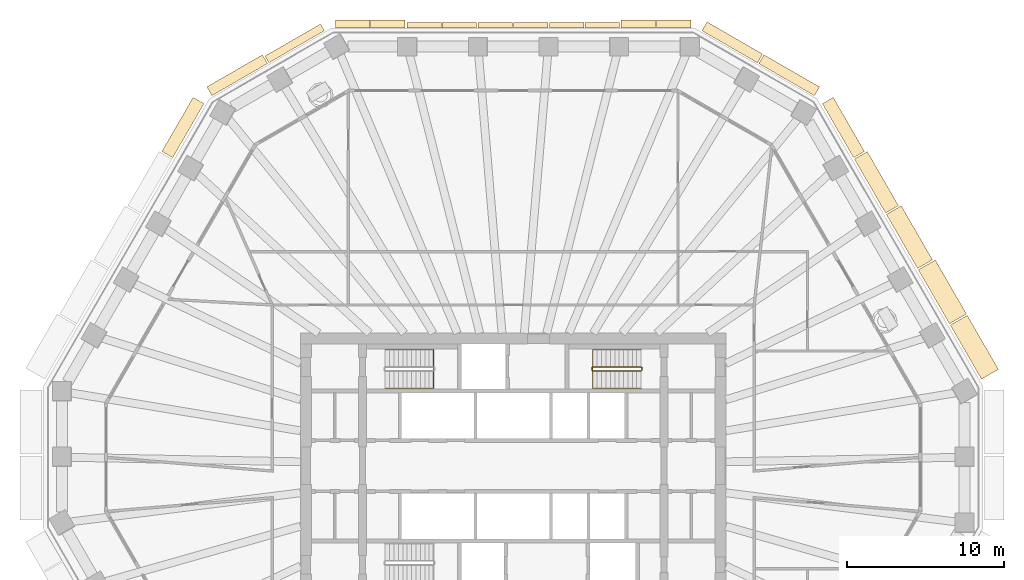
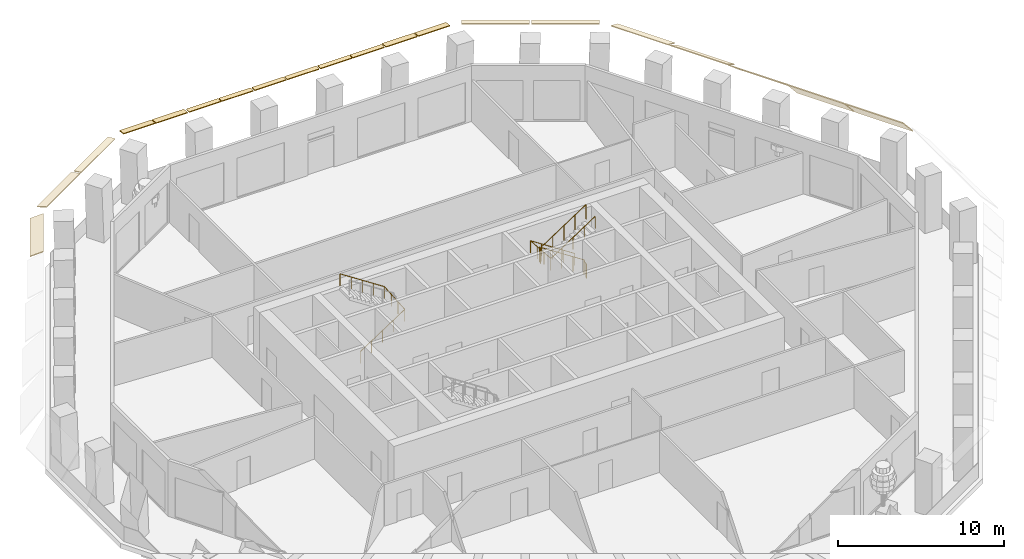
# One storey, part 10 of 12: 20 coverings, 3 railings.
"""IFC4 building model written with IfcOpenShell, lengths in metres."""

from ifc_helpers import new_model, si_unit, direction, frame, origin, origin_2d, place, context, subcontext, project, spatial, polyline, circle, outline, extrude, material, layer, layer_set, type_object, element, save


model = new_model("IFC4")

# Units and contexts
model_context = context("Model", 3, precision=1e-05, world=origin(), true_north=direction((0.0, 1.0)))
body_context = subcontext(model_context, "Body", "Model", "MODEL_VIEW")
ifc_project = project(units=[si_unit("LENGTHUNIT", "METRE"), si_unit("AREAUNIT", "SQUARE_METRE"), si_unit("VOLUMEUNIT", "CUBIC_METRE"), si_unit("PLANEANGLEUNIT", "RADIAN"), si_unit("MASSUNIT", "GRAM", prefix="KILO")], contexts=[model_context])

# Site, building, storey
site_placement = place(None, origin())
site = spatial("IfcSite", under=ifc_project, at=site_placement, CompositionType="ELEMENT")
building_placement = place(site_placement, origin())
building = spatial("IfcBuilding", under=site, at=building_placement, Name="Frailejon Research Tower", CompositionType="ELEMENT")
storey_placement = place(building_placement, frame((0.0, 0.0, 162.800048828125)))
storey = spatial("IfcBuildingStorey", under=building, at=storey_placement, Name="L35", CompositionType="ELEMENT", Elevation=162.800048828125)

# Coverings
ifc_material_1 = material(Name="Precast concrete C50/60", Category="concrete")
ifc_layer_1 = layer(ifc_material_1, 0.06005859375)
ifc_layer_set_1 = layer_set([ifc_layer_1], Name="Brim blade depth 1100")
covering_type_1 = type_object("IfcCoveringType", Name="Brim blade depth 1100", PredefinedType="CLADDING", material=ifc_layer_set_1)
covering_1_placement = place(storey_placement, frame((23.767822265625, 16.015625, 4.25), z_axis=(0.499992413042, -0.866029784072, 0.0), x_axis=(0.866029784072, 0.499992413042, 0.0)))
element("IfcCovering", 1, at=covering_1_placement, inside=storey, type_object=covering_type_1, Name="Brim blade L35", PredefinedType="CLADDING", context=body_context, shape_type="SweptSolid", body=[
    extrude(outline(polyline([(0.0, -0.078369140625), (1.10009765625, -1.001220703125), (1.10009765625, -0.923095703125), (0.0, 0.0), (0.0, -0.078369140625)])), origin(), (0.0, 0.0, 1.0), 3.972412109375),
])
ifc_material_2 = material(Name="Precast concrete C50/60", Category="concrete")
ifc_layer_2 = layer(ifc_material_2, 0.06005859375)
ifc_layer_set_2 = layer_set([ifc_layer_2], Name="Brim blade depth 1250")
covering_type_2 = type_object("IfcCoveringType", Name="Brim blade depth 1250", PredefinedType="CLADDING", material=ifc_layer_set_2)
for number, where, z_axis, x_axis, name in (
    (2, (27.840087890625, 8.96240234375, 4.25), (0.500010829996, -0.866019150993, 0.0), (0.866019150993, 0.500010829996, 0.0), "Brim blade L35"),
    (3, (25.803955078125, 12.489013671875, 4.25), (0.499992413042, -0.866029784072, 0.0), (0.866029784072, 0.499992413042, 0.0), "Brim blade L35"),
):
    element("IfcCovering", number, at=place(storey_placement, frame(where, z_axis=z_axis, x_axis=x_axis)), inside=storey, type_object=covering_type_2, Name=name, PredefinedType="CLADDING", context=body_context, shape_type="SweptSolid", body=[
        extrude(outline(polyline([(0.0, -0.0888671875), (1.25, -1.452880859375), (1.25, -1.364013671875), (0.0, 0.0), (0.0, -0.0888671875)])), origin(), (0.0, 0.0, 1.0), 3.972412109375),
    ])
ifc_material_3 = material(Name="Precast concrete C50/60", Category="concrete")
ifc_layer_3 = layer(ifc_material_3, 0.06005859375)
ifc_layer_set_3 = layer_set([ifc_layer_3], Name="Brim blade depth 350")
covering_type_3 = type_object("IfcCoveringType", Name="Brim blade depth 350", PredefinedType="CLADDING", material=ifc_layer_set_3)
for number, where, z_axis, x_axis, name in (
    (4, (4.581298828125, 27.89990234375, 4.25), (1.0, 0.0, 0.0), (0.0, 1.0, 0.0), "Brim blade L35"),
    (5, (2.32568359375, 27.89990234375, 4.25), (1.0, 0.0, 0.0), (0.0, 1.0, 0.0), "Brim blade L35"),
):
    element("IfcCovering", number, at=place(storey_placement, frame(where, z_axis=z_axis, x_axis=x_axis)), inside=storey, type_object=covering_type_3, Name=name, PredefinedType="CLADDING", context=body_context, shape_type="SweptSolid", body=[
        extrude(outline(polyline([(0.0, -0.06005859375), (0.35009765625, -0.06005859375), (0.35009765625, 0.0), (0.0, 0.0), (0.0, -0.06005859375)])), origin(), (0.0, 0.0, 1.0), 2.19580078125),
    ])
for number, where, z_axis, x_axis, name in (
    (6, (0.030029296875, 27.89990234375, 4.25), (1.0, 0.0, 0.0), (0.0, 1.0, 0.0), "Brim blade L35"),
    (7, (-2.2255859375, 27.89990234375, 4.25), (1.0, 0.0, 0.0), (0.0, 1.0, 0.0), "Brim blade L35"),
):
    element("IfcCovering", number, at=place(storey_placement, frame(where, z_axis=z_axis, x_axis=x_axis)), inside=storey, type_object=covering_type_3, Name=name, PredefinedType="CLADDING", context=body_context, shape_type="SweptSolid", body=[
        extrude(outline(polyline([(0.0, -0.06005859375), (0.35009765625, -0.06005859375), (0.35009765625, 0.0), (0.0, 0.0), (0.0, -0.06005859375)])), origin(), (0.0, 0.0, 1.0), 2.195556640625),
    ])
for number, where, z_axis, x_axis, name in (
    (8, (-4.521240234375, 27.89990234375, 4.25), (1.0, 0.0, 0.0), (0.0, 1.0, 0.0), "Brim blade L35"),
    (9, (-6.77685546875, 27.89990234375, 4.25), (1.0, 0.0, 0.0), (0.0, 1.0, 0.0), "Brim blade L35"),
):
    element("IfcCovering", number, at=place(storey_placement, frame(where, z_axis=z_axis, x_axis=x_axis)), inside=storey, type_object=covering_type_3, Name=name, PredefinedType="CLADDING", context=body_context, shape_type="SweptSolid", body=[
        extrude(outline(polyline([(0.0, -0.06005859375), (0.35009765625, -0.06005859375), (0.35009765625, 0.0), (0.0, 0.0), (0.0, -0.06005859375)])), origin(), (0.0, 0.0, 1.0), 2.19580078125),
    ])
ifc_material_4 = material(Name="Precast concrete C50/60", Category="concrete")
ifc_layer_4 = layer(ifc_material_4, 0.06005859375)
ifc_layer_set_4 = layer_set([ifc_layer_4], Name="Brim blade depth 500")
covering_type_4 = type_object("IfcCoveringType", Name="Brim blade depth 500", PredefinedType="CLADDING", material=ifc_layer_set_4)
for number, where, z_axis, x_axis, name in (
    (10, (9.132568359375, 27.89990234375, 4.25), (1.0, 0.0, 0.0), (0.0, 1.0, 0.0), "Brim blade L35"),
    (11, (6.876953125, 27.89990234375, 4.25), (1.0, 0.0, 0.0), (0.0, 1.0, 0.0), "Brim blade L35"),
    (12, (-9.072509765625, 27.89990234375, 4.25), (1.0, 0.0, 0.0), (0.0, 1.0, 0.0), "Brim blade L35"),
    (13, (-11.328125, 27.89990234375, 4.25), (1.0, 0.0, 0.0), (0.0, 1.0, 0.0), "Brim blade L35"),
):
    element("IfcCovering", number, at=place(storey_placement, frame(where, z_axis=z_axis, x_axis=x_axis)), inside=storey, type_object=covering_type_4, Name=name, PredefinedType="CLADDING", context=body_context, shape_type="SweptSolid", body=[
        extrude(outline(polyline([(0.0, -0.060546875), (0.5, -0.130859375), (0.5, -0.0703125), (0.0, 0.0), (0.0, -0.060546875)])), origin(), (0.0, 0.0, 1.0), 2.19580078125),
    ])
covering_2_placement = place(storey_placement, frame((-15.561279296875, 25.67041015625, 4.25), z_axis=(0.866021344981, 0.500007029989, 0.0), x_axis=(-0.500007029989, 0.866021344981, 0.0)))
element("IfcCovering", 14, at=covering_2_placement, inside=storey, type_object=covering_type_4, Name="Brim blade L35", PredefinedType="CLADDING", context=body_context, shape_type="SweptSolid", body=[
    extrude(outline(polyline([(0.0, -0.060546875), (0.5, -0.130859375), (0.5, -0.0703125), (0.0, 0.0), (0.0, -0.060546875)])), origin(), (0.0, 0.0, 1.0), 4.08740234375),
])
ifc_material_5 = material(Name="Precast concrete C50/60", Category="concrete")
ifc_layer_5 = layer(ifc_material_5, 0.06005859375)
ifc_layer_set_5 = layer_set([ifc_layer_5], Name="Brim blade depth 650")
covering_type_5 = type_object("IfcCoveringType", Name="Brim blade depth 650", PredefinedType="CLADDING", material=ifc_layer_set_5)
covering_3_placement = place(storey_placement, frame((15.64794921875, 25.620361328125, 4.25), z_axis=(0.866027315287, -0.499996689166, 0.0), x_axis=(0.499996689166, 0.866027315287, 0.0)))
element("IfcCovering", 15, at=covering_3_placement, inside=storey, type_object=covering_type_5, Name="Brim blade L35", PredefinedType="CLADDING", context=body_context, shape_type="SweptSolid", body=[
    extrude(outline(polyline([(0.0, -0.0625), (0.64990234375, -0.248779296875), (0.64990234375, -0.186279296875), (0.0, 0.0), (0.0, -0.0625)])), origin(), (0.0, 0.0, 1.0), 4.087646484375),
])
covering_4_placement = place(storey_placement, frame((12.021484375, 27.714111328125, 4.25), z_axis=(0.866021344981, -0.500007029989, 0.0), x_axis=(0.500007029989, 0.866021344981, 0.0)))
element("IfcCovering", 16, at=covering_4_placement, inside=storey, type_object=covering_type_5, Name="Brim blade L35", PredefinedType="CLADDING", context=body_context, shape_type="SweptSolid", body=[
    extrude(outline(polyline([(0.0, -0.0625), (0.64990234375, -0.248779296875), (0.64990234375, -0.186279296875), (0.0, 0.0), (0.0, -0.0625)])), origin(), (0.0, 0.0, 1.0), 4.08740234375),
])
covering_5_placement = place(storey_placement, frame((-19.18798828125, 23.57666015625, 4.25), z_axis=(0.866027315287, 0.499996689166, 0.0), x_axis=(-0.499996689166, 0.866027315287, 0.0)))
element("IfcCovering", 17, at=covering_5_placement, inside=storey, type_object=covering_type_5, Name="Brim blade L35", PredefinedType="CLADDING", context=body_context, shape_type="SweptSolid", body=[
    extrude(outline(polyline([(0.0, -0.0625), (0.64990234375, -0.248779296875), (0.64990234375, -0.186279296875), (0.0, 0.0), (0.0, -0.0625)])), origin(), (0.0, 0.0, 1.0), 4.087646484375),
])
ifc_material_6 = material(Name="Precast concrete C50/60", Category="concrete")
ifc_layer_6 = layer(ifc_material_6, 0.06005859375)
ifc_layer_set_6 = layer_set([ifc_layer_6], Name="Brim blade depth 800")
covering_type_6 = type_object("IfcCoveringType", Name="Brim blade depth 800", PredefinedType="CLADDING", material=ifc_layer_set_6)
for number, where, z_axis, x_axis, name in (
    (18, (19.695556640625, 23.069091796875, 4.25), (0.499992413042, -0.866029784072, 0.0), (0.866029784072, 0.499992413042, 0.0), "Brim blade L35"),
    (19, (-21.681640625, 19.62890625, 4.25), (0.499992413042, 0.866029784072, 0.0), (-0.866029784072, 0.499992413042, 0.0), "Brim blade L35"),
):
    element("IfcCovering", number, at=place(storey_placement, frame(where, z_axis=z_axis, x_axis=x_axis)), inside=storey, type_object=covering_type_6, Name=name, PredefinedType="CLADDING", context=body_context, shape_type="SweptSolid", body=[
        extrude(outline(polyline([(0.0, -0.065673828125), (0.800048828125, -0.421875), (0.800048828125, -0.356201171875), (0.0, 0.0), (0.0, -0.065673828125)])), origin(), (0.0, 0.0, 1.0), 3.972412109375),
    ])
ifc_material_7 = material(Name="Precast concrete C50/60", Category="concrete")
ifc_layer_7 = layer(ifc_material_7, 0.06005859375)
ifc_layer_set_7 = layer_set([ifc_layer_7], Name="Brim blade depth 950")
covering_type_7 = type_object("IfcCoveringType", Name="Brim blade depth 950", PredefinedType="CLADDING", material=ifc_layer_set_7)
covering_6_placement = place(storey_placement, frame((21.731689453125, 19.54248046875, 4.25), z_axis=(0.500010829996, -0.866019150993, 0.0), x_axis=(0.866019150993, 0.500010829996, 0.0)))
element("IfcCovering", 20, at=covering_6_placement, inside=storey, type_object=covering_type_7, Name="Brim blade L35", PredefinedType="CLADDING", context=body_context, shape_type="SweptSolid", body=[
    extrude(outline(polyline([(0.0, -0.07080078125), (0.949951171875, -0.664306640625), (0.949951171875, -0.593505859375), (0.0, 0.0), (0.0, -0.07080078125)])), origin(), (0.0, 0.0, 1.0), 3.972412109375),
])

# Railings
ifc_material_8 = material(Name="Stainless steel", Category="steel")
railing_type_1 = type_object("IfcRailingType", Name="Stair guard 1100", PredefinedType="GUARDRAIL", material=ifc_material_8)
railing_1_placement = place(storey_placement, frame((8.199951171875, 6.10009765625, 0.0)))
element("IfcRailing", 21, at=railing_1_placement, inside=storey, type_object=railing_type_1, Name="L35 ST3 stair guard 1", PredefinedType="GUARDRAIL", context=body_context, shape_type="SweptSolid", body=[
    extrude(circle(Radius=0.02392578125, at=origin_2d()), frame((0.0, 0.0, 1.076171875), z_axis=(0.0, 1.0, 0.0), x_axis=(-1.0, 0.0, 0.0)), (0.0, 0.0, 1.0), 0.14990234375),
    extrude(circle(Radius=0.02392578125, at=origin_2d()), frame((0.0, 0.14990234375, 1.076171875), z_axis=(-0.254653276557, 0.254653276557, 0.932900539971), x_axis=(-0.707106781187, -0.707106781187, 0.0)), (0.0, 0.0, 1.0), 0.196533203125),
    extrude(circle(Radius=0.02392578125, at=origin_2d()), frame((-0.050048828125, 0.199951171875, 1.25927734375), z_axis=(-0.836613101238, 0.0, 0.547794230379), x_axis=(0.0, -1.0, 0.0)), (0.0, 0.0, 1.0), 3.681396484375),
    extrude(circle(Radius=0.02392578125, at=origin_2d()), frame((-3.1298828125, 0.199951171875, 3.27587890625), z_axis=(-0.707106781187, -0.707106781187, 0.0), x_axis=(0.707106781187, -0.707106781187, 0.0)), (0.0, 0.0, 1.0), 0.07080078125),
    extrude(circle(Radius=0.02392578125, at=origin_2d()), frame((-3.179931640625, 0.14990234375, 3.27587890625), z_axis=(0.0, -1.0, 0.0), x_axis=(1.0, 0.0, 0.0)), (0.0, 0.0, 1.0), 0.14990234375),
    extrude(circle(Radius=0.02392578125, at=origin_2d()), frame((-3.179931640625, 0.0, 3.27587890625), z_axis=(0.254653276557, -0.254653276557, 0.932900539971), x_axis=(0.707106781187, 0.707106781187, 0.0)), (0.0, 0.0, 1.0), 0.196533203125),
    extrude(circle(Radius=0.02392578125, at=origin_2d()), frame((-3.1298828125, -0.050048828125, 3.45947265625), z_axis=(0.836613101238, 0.0, 0.547794230379), x_axis=(0.0, 1.0, 0.0)), (0.0, 0.0, 1.0), 3.681396484375),
    extrude(circle(Radius=0.02099609375, at=origin_2d()), origin(), (0.0, 0.0, 1.0), 1.052001953125),
    extrude(circle(Radius=0.02099609375, at=origin_2d()), frame((0.0, 0.14990234375, 0.0)), (0.0, 0.0, 1.0), 1.052001953125),
    extrude(circle(Radius=0.02099609375, at=origin_2d()), frame((-0.050048828125, 0.199951171875, 0.183349609375)), (0.0, 0.0, 1.0), 1.052001953125),
    extrude(circle(Radius=0.02099609375, at=origin_2d()), frame((-0.820068359375, 0.199951171875, 0.6875)), (0.0, 0.0, 1.0), 1.052001953125),
    extrude(circle(Radius=0.02099609375, at=origin_2d()), frame((-1.58984375, 0.199951171875, 1.191650390625)), (0.0, 0.0, 1.0), 1.052001953125),
    extrude(circle(Radius=0.02099609375, at=origin_2d()), frame((-2.35986328125, 0.199951171875, 1.69580078125)), (0.0, 0.0, 1.0), 1.052001953125),
    extrude(circle(Radius=0.02099609375, at=origin_2d()), frame((-3.1298828125, 0.199951171875, 2.199951171875)), (0.0, 0.0, 1.0), 1.052001953125),
    extrude(circle(Radius=0.02099609375, at=origin_2d()), frame((-3.179931640625, 0.14990234375, 2.199951171875)), (0.0, 0.0, 1.0), 1.052001953125),
    extrude(circle(Radius=0.02099609375, at=origin_2d()), frame((-3.179931640625, 0.0, 2.199951171875)), (0.0, 0.0, 1.0), 1.052001953125),
    extrude(circle(Radius=0.02099609375, at=origin_2d()), frame((-3.1298828125, -0.050048828125, 2.38330078125)), (0.0, 0.0, 1.0), 1.052001953125),
    extrude(circle(Radius=0.02099609375, at=origin_2d()), frame((-2.35986328125, -0.050048828125, 2.887451171875)), (0.0, 0.0, 1.0), 1.052001953125),
    extrude(circle(Radius=0.02099609375, at=origin_2d()), frame((-1.58984375, -0.050048828125, 3.3916015625)), (0.0, 0.0, 1.0), 1.052001953125),
    extrude(circle(Radius=0.02099609375, at=origin_2d()), frame((-0.820068359375, -0.050048828125, 3.895751953125)), (0.0, 0.0, 1.0), 1.052001953125),
    extrude(circle(Radius=0.02099609375, at=origin_2d()), frame((-0.050048828125, -0.050048828125, 4.39990234375)), (0.0, 0.0, 1.0), 1.052001953125),
])
ifc_material_9 = material(Name="Stainless steel", Category="steel")
railing_type_2 = type_object("IfcRailingType", Name="Stair handrail 900", PredefinedType="HANDRAIL", material=ifc_material_9)
railing_2_placement = place(storey_placement, frame((-8.14990234375, 4.949951171875, 0.183349609375)))
element("IfcRailing", 22, at=railing_2_placement, inside=storey, type_object=railing_type_2, Name="L35 ST1 stair handrail 1", PredefinedType="HANDRAIL", context=body_context, shape_type="SweptSolid", body=[
    extrude(circle(Radius=0.02392578125, at=origin_2d()), frame((0.0, 0.0, 0.8759765625), z_axis=(0.836613101238, 0.0, 0.547794230379), x_axis=(0.0, 1.0, 0.0)), (0.0, 0.0, 1.0), 3.681396484375),
    extrude(circle(Radius=0.02392578125, at=origin_2d()), frame((3.079833984375, 0.0, 2.892578125), z_axis=(0.0, 0.99721134034, 0.074629368868), x_axis=(-1.0, 0.0, 0.0)), (0.0, 0.0, 1.0), 2.456787109375),
    extrude(circle(Radius=0.02392578125, at=origin_2d()), frame((3.079833984375, 2.449951171875, 3.07568359375), z_axis=(-0.836613101238, 0.0, 0.547794230379), x_axis=(0.0, -1.0, 0.0)), (0.0, 0.0, 1.0), 3.681396484375),
    extrude(circle(Radius=0.02099609375, at=origin_2d()), origin(), (0.0, 0.0, 1.0), 0.851806640625),
    extrude(circle(Radius=0.02099609375, at=origin_2d()), frame((0.77001953125, 0.0, 0.504150390625)), (0.0, 0.0, 1.0), 0.851806640625),
    extrude(circle(Radius=0.02099609375, at=origin_2d()), frame((1.5400390625, 0.0, 1.00830078125)), (0.0, 0.0, 1.0), 0.851806640625),
    extrude(circle(Radius=0.02099609375, at=origin_2d()), frame((2.309814453125, 0.0, 1.512451171875)), (0.0, 0.0, 1.0), 0.851806640625),
    extrude(circle(Radius=0.02099609375, at=origin_2d()), frame((3.079833984375, 0.0, 2.0166015625)), (0.0, 0.0, 1.0), 0.851806640625),
    extrude(circle(Radius=0.02099609375, at=origin_2d()), frame((3.079833984375, 0.816650390625, 2.07763671875)), (0.0, 0.0, 1.0), 0.851806640625),
    extrude(circle(Radius=0.02099609375, at=origin_2d()), frame((3.079833984375, 1.63330078125, 2.138916015625)), (0.0, 0.0, 1.0), 0.851806640625),
    extrude(circle(Radius=0.02099609375, at=origin_2d()), frame((3.079833984375, 2.449951171875, 2.199951171875)), (0.0, 0.0, 1.0), 0.851806640625),
    extrude(circle(Radius=0.02099609375, at=origin_2d()), frame((2.309814453125, 2.449951171875, 2.7041015625)), (0.0, 0.0, 1.0), 0.851806640625),
    extrude(circle(Radius=0.02099609375, at=origin_2d()), frame((1.5400390625, 2.449951171875, 3.208251953125)), (0.0, 0.0, 1.0), 0.851806640625),
    extrude(circle(Radius=0.02099609375, at=origin_2d()), frame((0.77001953125, 2.449951171875, 3.71240234375)), (0.0, 0.0, 1.0), 0.851806640625),
    extrude(circle(Radius=0.02099609375, at=origin_2d()), frame((0.0, 2.449951171875, 4.216552734375)), (0.0, 0.0, 1.0), 0.851806640625),
])
railing_3_placement = place(storey_placement, frame((8.14990234375, 7.39990234375, 0.183349609375)))
element("IfcRailing", 23, at=railing_3_placement, inside=storey, type_object=railing_type_2, Name="L35 ST3 stair handrail 1", PredefinedType="HANDRAIL", context=body_context, shape_type="SweptSolid", body=[
    extrude(circle(Radius=0.02392578125, at=origin_2d()), frame((0.0, 0.0, 0.8759765625), z_axis=(-0.836613101238, 0.0, 0.547794230379), x_axis=(0.0, -1.0, 0.0)), (0.0, 0.0, 1.0), 3.681396484375),
    extrude(circle(Radius=0.02392578125, at=origin_2d()), frame((-3.079833984375, 0.0, 2.892578125), z_axis=(0.0, -0.99721134034, 0.074629368868), x_axis=(1.0, 0.0, 0.0)), (0.0, 0.0, 1.0), 2.456787109375),
    extrude(circle(Radius=0.02392578125, at=origin_2d()), frame((-3.079833984375, -2.449951171875, 3.07568359375), z_axis=(0.836613101238, 0.0, 0.547794230379), x_axis=(0.0, 1.0, 0.0)), (0.0, 0.0, 1.0), 3.681396484375),
    extrude(circle(Radius=0.02099609375, at=origin_2d()), origin(), (0.0, 0.0, 1.0), 0.851806640625),
    extrude(circle(Radius=0.02099609375, at=origin_2d()), frame((-0.77001953125, 0.0, 0.504150390625)), (0.0, 0.0, 1.0), 0.851806640625),
    extrude(circle(Radius=0.02099609375, at=origin_2d()), frame((-1.5400390625, 0.0, 1.00830078125)), (0.0, 0.0, 1.0), 0.851806640625),
    extrude(circle(Radius=0.02099609375, at=origin_2d()), frame((-2.309814453125, 0.0, 1.512451171875)), (0.0, 0.0, 1.0), 0.851806640625),
    extrude(circle(Radius=0.02099609375, at=origin_2d()), frame((-3.079833984375, 0.0, 2.0166015625)), (0.0, 0.0, 1.0), 0.851806640625),
    extrude(circle(Radius=0.02099609375, at=origin_2d()), frame((-3.079833984375, -0.816650390625, 2.07763671875)), (0.0, 0.0, 1.0), 0.851806640625),
    extrude(circle(Radius=0.02099609375, at=origin_2d()), frame((-3.079833984375, -1.63330078125, 2.138916015625)), (0.0, 0.0, 1.0), 0.851806640625),
    extrude(circle(Radius=0.02099609375, at=origin_2d()), frame((-3.079833984375, -2.449951171875, 2.199951171875)), (0.0, 0.0, 1.0), 0.851806640625),
    extrude(circle(Radius=0.02099609375, at=origin_2d()), frame((-2.309814453125, -2.449951171875, 2.7041015625)), (0.0, 0.0, 1.0), 0.851806640625),
    extrude(circle(Radius=0.02099609375, at=origin_2d()), frame((-1.5400390625, -2.449951171875, 3.208251953125)), (0.0, 0.0, 1.0), 0.851806640625),
    extrude(circle(Radius=0.02099609375, at=origin_2d()), frame((-0.77001953125, -2.449951171875, 3.71240234375)), (0.0, 0.0, 1.0), 0.851806640625),
    extrude(circle(Radius=0.02099609375, at=origin_2d()), frame((0.0, -2.449951171875, 4.216552734375)), (0.0, 0.0, 1.0), 0.851806640625),
])

save(model, "model.ifc")
